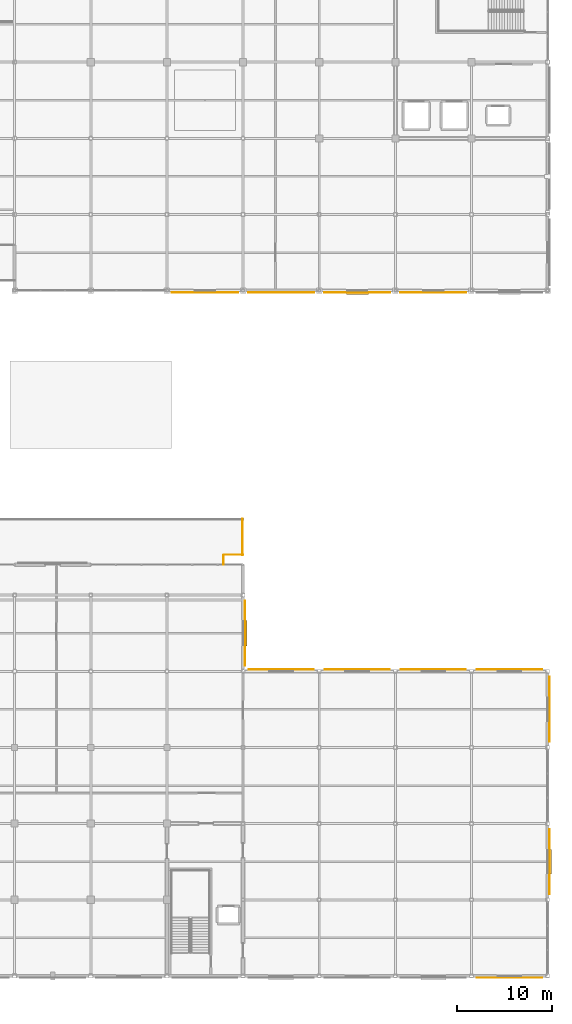
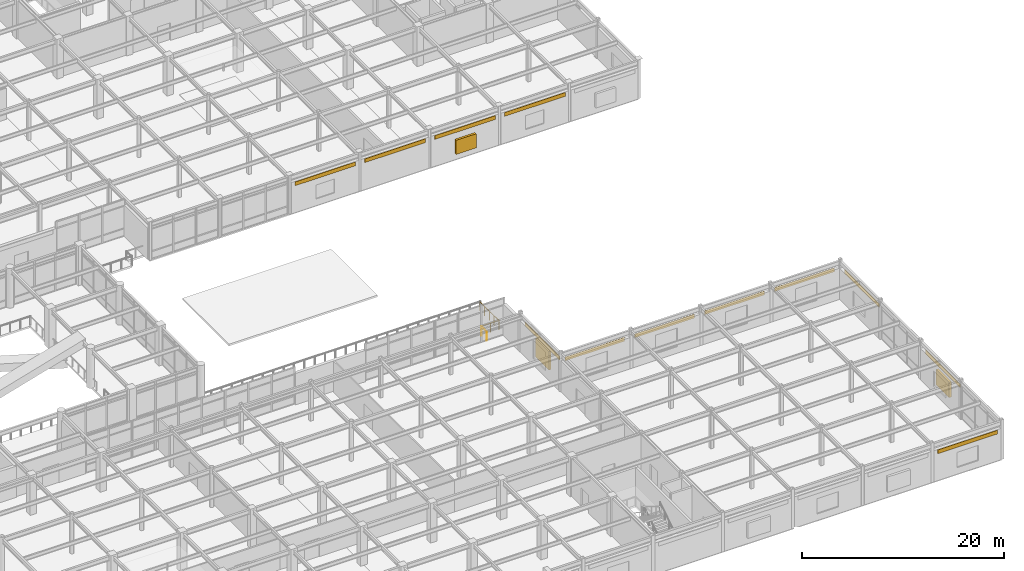
# One storey, part 114 of 117: 12 coverings, 3 railings, 3 shading devices.
"""IFC4 building model written with IfcOpenShell, lengths in metres."""

from ifc_helpers import new_model, si_unit, direction, frame, origin, origin_2d, place, context, subcontext, project, spatial, rectangle, circle, extrude, material, layer, layer_set, type_object, element, save


model = new_model("IFC4")

# Units and contexts
model_context = context("Model", 3, precision=1e-05, world=origin(), true_north=direction((0.0, 1.0)))
body_context = subcontext(model_context, "Body", "Model", "MODEL_VIEW")
ifc_project = project(units=[si_unit("LENGTHUNIT", "METRE"), si_unit("AREAUNIT", "SQUARE_METRE"), si_unit("VOLUMEUNIT", "CUBIC_METRE"), si_unit("PLANEANGLEUNIT", "RADIAN"), si_unit("MASSUNIT", "GRAM", prefix="KILO")], contexts=[model_context])

# Site, building, storey
site_placement = place(None, origin())
site = spatial("IfcSite", under=ifc_project, at=site_placement, CompositionType="ELEMENT")
building_placement = place(site_placement, origin())
building = spatial("IfcBuilding", under=site, at=building_placement, Name="Solmirada Galleria", CompositionType="ELEMENT")
storey_placement = place(building_placement, frame((0.0, 0.0, 5.60009765625)))
storey = spatial("IfcBuildingStorey", under=building, at=storey_placement, Name="L01", CompositionType="ELEMENT", Elevation=5.60009765625)

# Coverings
ifc_material_1 = material(Name="Limestone cladding panels", Category="masonry")
ifc_layer = layer(ifc_material_1, 0.044921875)
ifc_layer_set = layer_set([ifc_layer], Name="Limestone cladding panels")
covering_type = type_object("IfcCoveringType", Name="COV-CLAD-LIME", PredefinedType="CLADDING", material=ifc_layer_set)
for number, where, z_axis, x_axis, name in (
    (1, (164.0, 71.8076171875, 3.2900390625), (0.0, 0.0, 1.0), (-1.0, 0.0, 0.0), "Postmodern facade cladding L01-086"),
    (2, (156.0, 71.8076171875, 3.2900390625), (0.0, 0.0, 1.0), (-1.0, 0.0, 0.0), "Postmodern facade cladding L01-087"),
    (3, (148.0, 71.8076171875, 3.2900390625), (0.0, 0.0, 1.0), (-1.0, 0.0, 0.0), "Postmodern facade cladding L01-088"),
    (4, (140.0, 71.8076171875, 3.2900390625), (0.0, 0.0, 1.0), (-1.0, 0.0, 0.0), "Postmodern facade cladding L01-089"),
):
    element("IfcCovering", number, at=place(storey_placement, frame(where, z_axis=z_axis, x_axis=x_axis)), inside=storey, type_object=covering_type, Name=name, PredefinedType="CLADDING", context=body_context, shape_type="SweptSolid", body=[
        extrude(rectangle(XDim=6.946044921875, YDim=0.044921875, at=origin_2d()), origin(), (0.0, 0.0, 1.0), 0.4599609375),
    ])
for number, where, z_axis, x_axis, name in (
    (5, (144.1923828125, 36.0, 3.2900390625), (0.0, 0.0, 1.0), (0.0, -1.0, 0.0), "Postmodern facade cladding L01-092"),
    (6, (148.0, 32.1923828125, 3.2900390625), (0.0, 0.0, 1.0), (1.0, 0.0, 0.0), "Postmodern facade cladding L01-093"),
):
    element("IfcCovering", number, at=place(storey_placement, frame(where, z_axis=z_axis, x_axis=x_axis)), inside=storey, type_object=covering_type, Name=name, PredefinedType="CLADDING", context=body_context, shape_type="SweptSolid", body=[
        extrude(rectangle(XDim=6.819091796875, YDim=0.044921875, at=origin_2d()), origin(), (0.0, 0.0, 1.0), 0.4599609375),
    ])
for number, where, z_axis, x_axis, name in (
    (7, (156.0, 32.1923828125, 3.2900390625), (0.0, 0.0, 1.0), (1.0, 0.0, 0.0), "Postmodern facade cladding L01-094"),
    (8, (164.0, 32.1923828125, 3.2900390625), (0.0, 0.0, 1.0), (1.0, 0.0, 0.0), "Postmodern facade cladding L01-095"),
    (9, (172.0, 32.1923828125, 3.2900390625), (0.0, 0.0, 1.0), (1.0, 0.0, 0.0), "Postmodern facade cladding L01-096"),
    (10, (176.1923828125, 28.0, 3.2900390625), (0.0, 0.0, 1.0), (0.0, -1.0, 0.0), "Postmodern facade cladding L01-097"),
    (11, (176.1923828125, 12.0, 3.2900390625), (0.0, 0.0, 1.0), (0.0, -1.0, 0.0), "Postmodern facade cladding L01-098"),
    (12, (172.0, -0.1923828125, 3.2900390625), (0.0, 0.0, 1.0), (-1.0, 0.0, 0.0), "Postmodern facade cladding L01-099"),
):
    element("IfcCovering", number, at=place(storey_placement, frame(where, z_axis=z_axis, x_axis=x_axis)), inside=storey, type_object=covering_type, Name=name, PredefinedType="CLADDING", context=body_context, shape_type="SweptSolid", body=[
        extrude(rectangle(XDim=6.843994140625, YDim=0.044921875, at=origin_2d()), origin(), (0.0, 0.0, 1.0), 0.4599609375),
    ])

# Railings
ifc_material_2 = material(Name="Painted galvanized steel balustrade", Category="steel")
railing_type = type_object("IfcRailingType", Name="RAIL-TERR-1100", PredefinedType="GUARDRAIL", material=ifc_material_2)
railing_1_placement = place(storey_placement, frame((141.949951171875, 43.199951171875, 0.0)))
element("IfcRailing", 13, at=railing_1_placement, inside=storey, type_object=railing_type, Name="Terrace guardrail L01-TERR-SE E2.1", PredefinedType="GUARDRAIL", context=body_context, shape_type="SweptSolid", body=[
    extrude(circle(Radius=0.02392578125, at=origin_2d()), frame((0.0, 0.0, 1.09619140625), z_axis=(0.0, 1.0, 0.0), x_axis=(-1.0, 0.0, 0.0)), (0.0, 0.0, 1.0), 1.0),
    extrude(circle(Radius=0.02099609375, at=origin_2d()), origin(), (0.0, 0.0, 1.0), 1.068115234375),
    extrude(circle(Radius=0.02099609375, at=origin_2d()), frame((0.0, 1.0, 0.0)), (0.0, 0.0, 1.0), 1.068115234375),
])
railing_2_placement = place(storey_placement, frame((142.0, 44.25, 0.0)))
element("IfcRailing", 14, at=railing_2_placement, inside=storey, type_object=railing_type, Name="Terrace guardrail L01-TERR-SE E3.1", PredefinedType="GUARDRAIL", context=body_context, shape_type="SweptSolid", body=[
    extrude(circle(Radius=0.02392578125, at=origin_2d()), frame((0.0, 0.0, 1.09619140625), z_axis=(1.0, 0.0, 0.0), x_axis=(0.0, 1.0, 0.0)), (0.0, 0.0, 1.0), 2.0),
    extrude(circle(Radius=0.02099609375, at=origin_2d()), origin(), (0.0, 0.0, 1.0), 1.068115234375),
    extrude(circle(Radius=0.02099609375, at=origin_2d()), frame((1.0, 0.0, 0.0)), (0.0, 0.0, 1.0), 1.068115234375),
    extrude(circle(Radius=0.02099609375, at=origin_2d()), frame((2.0, 0.0, 0.0)), (0.0, 0.0, 1.0), 1.068115234375),
])
railing_3_placement = place(storey_placement, frame((143.949951171875, 44.199951171875, 0.0)))
element("IfcRailing", 15, at=railing_3_placement, inside=storey, type_object=railing_type, Name="Terrace guardrail L01-TERR-SE E4.1", PredefinedType="GUARDRAIL", context=body_context, shape_type="SweptSolid", body=[
    extrude(circle(Radius=0.02392578125, at=origin_2d()), frame((0.0, 0.0, 1.09619140625), z_axis=(0.0, 1.0, 0.0), x_axis=(-1.0, 0.0, 0.0)), (0.0, 0.0, 1.0), 3.800048828125),
    extrude(circle(Radius=0.02099609375, at=origin_2d()), origin(), (0.0, 0.0, 1.0), 1.068115234375),
    extrude(circle(Radius=0.02099609375, at=origin_2d()), frame((0.0, 0.949951171875, 0.0)), (0.0, 0.0, 1.0), 1.068115234375),
    extrude(circle(Radius=0.02099609375, at=origin_2d()), frame((0.0, 1.89990234375, 0.0)), (0.0, 0.0, 1.0), 1.068115234375),
    extrude(circle(Radius=0.02099609375, at=origin_2d()), frame((0.0, 2.85009765625, 0.0)), (0.0, 0.0, 1.0), 1.068115234375),
    extrude(circle(Radius=0.02099609375, at=origin_2d()), frame((0.0, 3.800048828125, 0.0)), (0.0, 0.0, 1.0), 1.068115234375),
])

# Shading devices
ifc_material_3 = material(Name="Extruded aluminium storm louvres", Category="aluminium")
shading_device_type = type_object("IfcShadingDeviceType", Name="SHD-JALOUSIE", PredefinedType="JALOUSIE", material=ifc_material_3)
shading_device_1_placement = place(storey_placement, frame((156.0, 71.699951171875, 0.7998046875), z_axis=(0.0, 0.0, 1.0), x_axis=(-1.0, 0.0, 0.0)))
element("IfcShadingDevice", 16, at=shading_device_1_placement, inside=storey, type_object=shading_device_type, Name="Hurricane storm jalousie louvre 041", PredefinedType="JALOUSIE", context=body_context, shape_type="SweptSolid", body=[
    extrude(rectangle(XDim=2.31005859375, YDim=0.260009765625, at=origin_2d()), origin(), (0.0, 0.0, 1.0), 1.699951171875),
])
shading_device_2_placement = place(storey_placement, frame((144.300048828125, 36.0, 0.7998046875), z_axis=(0.0, 0.0, 1.0), x_axis=(0.0, -1.0, 0.0)))
element("IfcShadingDevice", 17, at=shading_device_2_placement, inside=storey, type_object=shading_device_type, Name="Hurricane storm jalousie louvre 042", PredefinedType="JALOUSIE", context=body_context, shape_type="SweptSolid", body=[
    extrude(rectangle(XDim=2.659912109375, YDim=0.260009765625, at=origin_2d()), origin(), (0.0, 0.0, 1.0), 2.25),
])
shading_device_3_placement = place(storey_placement, frame((176.300048828125, 12.0, 0.7998046875), z_axis=(0.0, 0.0, 1.0), x_axis=(0.0, -1.0, 0.0)))
element("IfcShadingDevice", 18, at=shading_device_3_placement, inside=storey, type_object=shading_device_type, Name="Hurricane storm jalousie louvre 043", PredefinedType="JALOUSIE", context=body_context, shape_type="SweptSolid", body=[
    extrude(rectangle(XDim=2.610107421875, YDim=0.260009765625, at=origin_2d()), origin(), (0.0, 0.0, 1.0), 1.85009765625),
])

save(model, "model.ifc")
